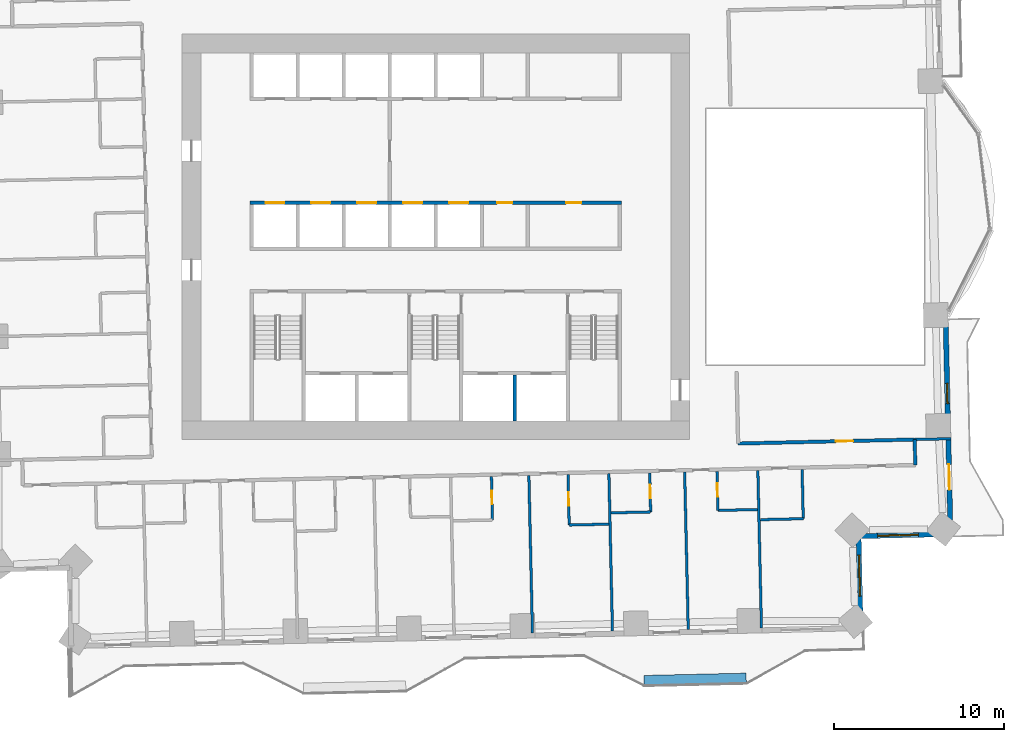
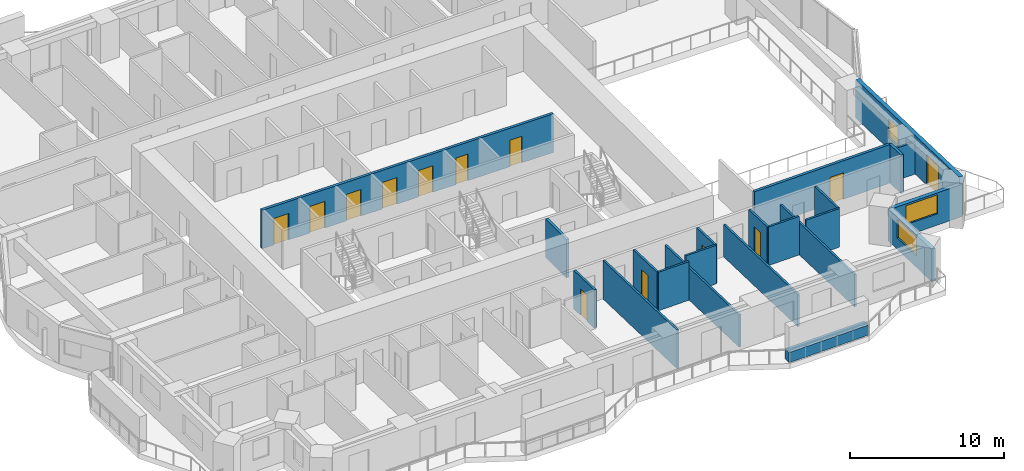
# One storey, part 9 of 17: 22 walls, 13 doors, 3 windows, 16 openings.
"""IFC4 building model written with IfcOpenShell, lengths in metres."""

from ifc_helpers import new_model, si_unit, direction, frame, frame_2d, origin, place, context, subcontext, project, spatial, rectangle, extrude, material, layer, layer_set, type_object, element, fill, save


model = new_model("IFC4")

# Units and contexts
model_context = context("Model", 3, precision=1e-05, world=origin(), true_north=direction((0.0, 1.0)))
body_context = subcontext(model_context, "Body", "Model", "MODEL_VIEW")
ifc_project = project(units=[si_unit("LENGTHUNIT", "METRE"), si_unit("AREAUNIT", "SQUARE_METRE"), si_unit("VOLUMEUNIT", "CUBIC_METRE"), si_unit("PLANEANGLEUNIT", "RADIAN"), si_unit("MASSUNIT", "GRAM", prefix="KILO")], contexts=[model_context])

# Site, building, storey
site_placement = place(None, origin())
site = spatial("IfcSite", under=ifc_project, at=site_placement, CompositionType="ELEMENT")
building_placement = place(site_placement, origin())
building = spatial("IfcBuilding", under=site, at=building_placement, Name="Mangrove Gate Tower", CompositionType="ELEMENT")
storey_placement = place(building_placement, frame((0.0, 0.0, 86.5)))
storey = spatial("IfcBuildingStorey", under=building, at=storey_placement, Name="L21", CompositionType="ELEMENT", Elevation=86.5)

# Wall, openings, doors
ifc_material_1 = material(Name="Concrete C70/85", Category="concrete")
ifc_layer_1 = layer(ifc_material_1, 0.199951171875)
ifc_layer_set_1 = layer_set([ifc_layer_1], Name="Core shaft wall 200 C70/85")
wall_type_1 = type_object("IfcWallType", Name="Core shaft wall 200 C70/85", PredefinedType="SHEAR", material=ifc_layer_set_1)
wall_1_placement = place(storey_placement, frame((-10.89990234375, 2.0, 0.0), z_axis=(0.0, 0.0, 1.0), x_axis=(1.0, 0.0, 0.0)))
wall_1 = element("IfcWall", 1, at=wall_1_placement, inside=storey, type_object=wall_type_1, Name="WALL-L21-CORE-7", PredefinedType="SHEAR", context=body_context, shape_type="SweptSolid", body=[
    extrude(rectangle(XDim=21.7998046875, YDim=0.199951171875, at=frame_2d((10.89990234375, 0.0))), origin(), (0.0, 0.0, 1.0), 3.050048828125),
])
opening_1_placement = place(wall_1_placement, frame((0.89990234375, 0.0, 0.0)))
opening_1 = element("IfcOpeningElement", 2, at=opening_1_placement, cuts=wall_1, Name="Opening LD", PredefinedType="OPENING", context=body_context, shape_type="SweptSolid", body=[
    extrude(rectangle(XDim=1.10009765625, YDim=2.10009765625, at=frame_2d((0.550048828125, 1.050048828125))), frame((0.0, 0.10986328125, 0.0), z_axis=(0.0, -1.0, 0.0), x_axis=(1.0, 0.0, 0.0)), (0.0, 0.0, 1.0), 0.219970703125),
])
opening_2_placement = place(wall_1_placement, frame((3.60009765625, 0.0, 0.0)))
opening_2 = element("IfcOpeningElement", 3, at=opening_2_placement, cuts=wall_1, Name="Opening LD", PredefinedType="OPENING", context=body_context, shape_type="SweptSolid", body=[
    extrude(rectangle(XDim=1.10009765625, YDim=2.10009765625, at=frame_2d((0.550048828125, 1.050048828125))), frame((0.0, 0.10986328125, 0.0), z_axis=(0.0, -1.0, 0.0), x_axis=(1.0, 0.0, 0.0)), (0.0, 0.0, 1.0), 0.219970703125),
])
opening_3_placement = place(wall_1_placement, frame((6.300048828125, 0.0, 0.0)))
opening_3 = element("IfcOpeningElement", 4, at=opening_3_placement, cuts=wall_1, Name="Opening LD", PredefinedType="OPENING", context=body_context, shape_type="SweptSolid", body=[
    extrude(rectangle(XDim=1.10009765625, YDim=2.10009765625, at=frame_2d((0.550048828125, 1.050048828125))), frame((0.0, 0.10986328125, 0.0), z_axis=(0.0, -1.0, 0.0), x_axis=(1.0, 0.0, 0.0)), (0.0, 0.0, 1.0), 0.219970703125),
])
opening_4_placement = place(wall_1_placement, frame((9.0, 0.0, 0.0)))
opening_4 = element("IfcOpeningElement", 5, at=opening_4_placement, cuts=wall_1, Name="Opening LD", PredefinedType="OPENING", context=body_context, shape_type="SweptSolid", body=[
    extrude(rectangle(XDim=1.10009765625, YDim=2.10009765625, at=frame_2d((0.550048828125, 1.050048828125))), frame((0.0, 0.10986328125, 0.0), z_axis=(0.0, -1.0, 0.0), x_axis=(1.0, 0.0, 0.0)), (0.0, 0.0, 1.0), 0.219970703125),
])
opening_5_placement = place(wall_1_placement, frame((11.699951171875, 0.0, 0.0)))
opening_5 = element("IfcOpeningElement", 6, at=opening_5_placement, cuts=wall_1, Name="Opening LD", PredefinedType="OPENING", context=body_context, shape_type="SweptSolid", body=[
    extrude(rectangle(XDim=1.10009765625, YDim=2.10009765625, at=frame_2d((0.550048828125, 1.050048828125))), frame((0.0, 0.10986328125, 0.0), z_axis=(0.0, -1.0, 0.0), x_axis=(1.0, 0.0, 0.0)), (0.0, 0.0, 1.0), 0.219970703125),
])
opening_6_placement = place(wall_1_placement, frame((14.5, 0.0, 0.0)))
opening_6 = element("IfcOpeningElement", 7, at=opening_6_placement, cuts=wall_1, Name="Opening KD", PredefinedType="OPENING", context=body_context, shape_type="SweptSolid", body=[
    extrude(rectangle(XDim=0.89990234375, YDim=2.10009765625, at=frame_2d((0.449951171875, 1.050048828125))), frame((0.0, 0.10986328125, 0.0), z_axis=(0.0, -1.0, 0.0), x_axis=(1.0, 0.0, 0.0)), (0.0, 0.0, 1.0), 0.219970703125),
])
opening_7_placement = place(wall_1_placement, frame((18.550048828125, 0.0, 0.0)))
opening_7 = element("IfcOpeningElement", 8, at=opening_7_placement, cuts=wall_1, Name="Opening RD", PredefinedType="OPENING", context=body_context, shape_type="SweptSolid", body=[
    extrude(rectangle(XDim=0.89990234375, YDim=2.10009765625, at=frame_2d((0.449951171875, 1.050048828125))), frame((0.0, 0.10986328125, 0.0), z_axis=(0.0, -1.0, 0.0), x_axis=(1.0, 0.0, 0.0)), (0.0, 0.0, 1.0), 0.219970703125),
])
ifc_material_2 = material(Name="Fire-rated steel door set", Category="steel")
door_type_1 = type_object("IfcDoorType", Name="Core room door FD30S 900x2100", OperationType="SINGLE_SWING_RIGHT", PredefinedType="DOOR", material=ifc_material_2)
door_1_placement = place(opening_6_placement, origin())
door_1 = element("IfcDoor", 9, at=door_1_placement, inside=storey, type_object=door_type_1, Name="Core room door Refuse store", OperationType="SINGLE_SWING_RIGHT", OverallHeight=2.10009765625, OverallWidth=0.89990234375, PredefinedType="DOOR", context=body_context, shape_type="SweptSolid", body=[
    extrude(rectangle(XDim=0.89990234375, YDim=2.10009765625, at=frame_2d((0.449951171875, 1.050048828125))), frame((0.0, 0.02490234375, 0.0), z_axis=(0.0, -1.0, 0.0), x_axis=(1.0, 0.0, 0.0)), (0.0, 0.0, 1.0), 0.050048828125),
])
fill(opening_6, door_1)
ifc_material_3 = material(Name="Stainless steel 316", Category="steel")
door_type_2 = type_object("IfcDoorType", Name="Lift landing door 1100x2100", OperationType="SLIDING_TO_LEFT", PredefinedType="DOOR", material=ifc_material_3)
door_2_placement = place(opening_1_placement, origin())
door_2 = element("IfcDoor", 10, at=door_2_placement, inside=storey, type_object=door_type_2, Name="Landing door LD P01", OperationType="SLIDING_TO_LEFT", OverallHeight=2.10009765625, OverallWidth=1.10009765625, PredefinedType="DOOR", context=body_context, shape_type="SweptSolid", body=[
    extrude(rectangle(XDim=1.10009765625, YDim=2.10009765625, at=frame_2d((0.550048828125, 1.050048828125))), frame((0.0, 0.02490234375, 0.0), z_axis=(0.0, -1.0, 0.0), x_axis=(1.0, 0.0, 0.0)), (0.0, 0.0, 1.0), 0.050048828125),
])
fill(opening_1, door_2)
door_3_placement = place(opening_2_placement, origin())
door_3 = element("IfcDoor", 11, at=door_3_placement, inside=storey, type_object=door_type_2, Name="Landing door LD P02", OperationType="SLIDING_TO_LEFT", OverallHeight=2.10009765625, OverallWidth=1.10009765625, PredefinedType="DOOR", context=body_context, shape_type="SweptSolid", body=[
    extrude(rectangle(XDim=1.10009765625, YDim=2.10009765625, at=frame_2d((0.550048828125, 1.050048828125))), frame((0.0, 0.02490234375, 0.0), z_axis=(0.0, -1.0, 0.0), x_axis=(1.0, 0.0, 0.0)), (0.0, 0.0, 1.0), 0.050048828125),
])
fill(opening_2, door_3)
door_4_placement = place(opening_3_placement, origin())
door_4 = element("IfcDoor", 12, at=door_4_placement, inside=storey, type_object=door_type_2, Name="Landing door LD P03", OperationType="SLIDING_TO_LEFT", OverallHeight=2.10009765625, OverallWidth=1.10009765625, PredefinedType="DOOR", context=body_context, shape_type="SweptSolid", body=[
    extrude(rectangle(XDim=1.10009765625, YDim=2.10009765625, at=frame_2d((0.550048828125, 1.050048828125))), frame((0.0, 0.02490234375, 0.0), z_axis=(0.0, -1.0, 0.0), x_axis=(1.0, 0.0, 0.0)), (0.0, 0.0, 1.0), 0.050048828125),
])
fill(opening_3, door_4)
door_5_placement = place(opening_4_placement, origin())
door_5 = element("IfcDoor", 13, at=door_5_placement, inside=storey, type_object=door_type_2, Name="Landing door LD P04", OperationType="SLIDING_TO_LEFT", OverallHeight=2.10009765625, OverallWidth=1.10009765625, PredefinedType="DOOR", context=body_context, shape_type="SweptSolid", body=[
    extrude(rectangle(XDim=1.10009765625, YDim=2.10009765625, at=frame_2d((0.550048828125, 1.050048828125))), frame((0.0, 0.02490234375, 0.0), z_axis=(0.0, -1.0, 0.0), x_axis=(1.0, 0.0, 0.0)), (0.0, 0.0, 1.0), 0.050048828125),
])
fill(opening_4, door_5)
door_6_placement = place(opening_5_placement, origin())
door_6 = element("IfcDoor", 14, at=door_6_placement, inside=storey, type_object=door_type_2, Name="Landing door LD P05", OperationType="SLIDING_TO_LEFT", OverallHeight=2.10009765625, OverallWidth=1.10009765625, PredefinedType="DOOR", context=body_context, shape_type="SweptSolid", body=[
    extrude(rectangle(XDim=1.10009765625, YDim=2.10009765625, at=frame_2d((0.550048828125, 1.050048828125))), frame((0.0, 0.02490234375, 0.0), z_axis=(0.0, -1.0, 0.0), x_axis=(1.0, 0.0, 0.0)), (0.0, 0.0, 1.0), 0.050048828125),
])
fill(opening_5, door_6)
ifc_material_4 = material(Name="Fire-rated steel door set", Category="steel")
door_type_3 = type_object("IfcDoorType", Name="Riser door FD30S 900x2100", OperationType="SINGLE_SWING_LEFT", PredefinedType="DOOR", material=ifc_material_4)
door_7_placement = place(opening_7_placement, origin())
door_7 = element("IfcDoor", 15, at=door_7_placement, inside=storey, type_object=door_type_3, Name="Riser door Electrical room", OperationType="SINGLE_SWING_LEFT", OverallHeight=2.10009765625, OverallWidth=0.89990234375, PredefinedType="DOOR", context=body_context, shape_type="SweptSolid", body=[
    extrude(rectangle(XDim=0.89990234375, YDim=2.10009765625, at=frame_2d((0.449951171875, 1.050048828125))), frame((0.0, 0.02490234375, 0.0), z_axis=(0.0, -1.0, 0.0), x_axis=(1.0, 0.0, 0.0)), (0.0, 0.0, 1.0), 0.050048828125),
])
fill(opening_7, door_7)

# Walls
wall_2_placement = place(storey_placement, frame((4.625, -10.800048828125, 0.0), z_axis=(0.0, 0.0, 1.0), x_axis=(0.0, 1.0, 0.0)))
element("IfcWall", 16, at=wall_2_placement, inside=storey, type_object=wall_type_1, Name="WALL-L21-CORE-18", PredefinedType="SHEAR", context=body_context, shape_type="SweptSolid", body=[
    extrude(rectangle(XDim=2.699951171875, YDim=0.199951171875, at=frame_2d((1.35009765625, 0.0))), origin(), (0.0, 0.0, 1.0), 3.050048828125),
])
ifc_material_5 = material(Name="Gypsum board on steel stud, EI 60", Category="steel")
ifc_layer_2 = layer(ifc_material_5, 0.199951171875)
ifc_layer_set_2 = layer_set([ifc_layer_2], Name="Corridor wall EI 60")
wall_type_2 = type_object("IfcWallType", Name="Corridor wall EI 60", PredefinedType="PARTITIONING", material=ifc_layer_set_2)
wall_3_placement = place(storey_placement, frame((28.157958984375, -13.40087890625, 0.0), z_axis=(0.0, 0.0, 1.0), x_axis=(-0.022636322434, 0.999743765625, 0.0)))
element("IfcWall", 17, at=wall_3_placement, inside=storey, type_object=wall_type_2, Name="WALL-L21-032", PredefinedType="PARTITIONING", context=body_context, shape_type="SweptSolid", body=[
    extrude(rectangle(XDim=1.499267578125, YDim=0.199951171875, at=frame_2d((0.74951171875, 0.0))), origin(), (0.0, 0.0, 1.0), 3.050048828125),
])

# Wall, opening, door
wall_4_placement = place(storey_placement, frame((17.7529296875, -12.136962890625, 0.0), z_axis=(0.0, 0.0, 1.0), x_axis=(0.999743727281, 0.022638015856, 0.0)))
wall_4 = element("IfcWall", 18, at=wall_4_placement, inside=storey, type_object=wall_type_2, Name="WALL-L21-037", PredefinedType="PARTITIONING", context=body_context, shape_type="SweptSolid", body=[
    extrude(rectangle(XDim=10.374755859375, YDim=0.199951171875, at=frame_2d((5.1875, 0.0))), origin(), (0.0, 0.0, 1.0), 3.050048828125),
])
opening_8_placement = place(wall_4_placement, frame((5.75, 0.0, 0.0)))
opening_8 = element("IfcOpeningElement", 19, at=opening_8_placement, cuts=wall_4, Name="Opening AD", PredefinedType="OPENING", context=body_context, shape_type="SweptSolid", body=[
    extrude(rectangle(XDim=1.0, YDim=2.10009765625, at=frame_2d((0.5, 1.050048828125))), frame((0.0, 0.10986328125, 0.0), z_axis=(0.0, -1.0, 0.0), x_axis=(1.0, 0.0, 0.0)), (0.0, 0.0, 1.0), 0.219970703125),
])
ifc_material_6 = material(Name="Timber door leaf", Category="wood")
door_type_4 = type_object("IfcDoorType", Name="Amenity door 1000", OperationType="SINGLE_SWING_LEFT", PredefinedType="DOOR", material=ifc_material_6)
door_8_placement = place(opening_8_placement, origin())
door_8 = element("IfcDoor", 20, at=door_8_placement, inside=storey, type_object=door_type_4, Name="DOOR-L21-GAM-c3b", OperationType="SINGLE_SWING_LEFT", OverallHeight=2.10009765625, OverallWidth=1.0, PredefinedType="DOOR", context=body_context, shape_type="SweptSolid", body=[
    extrude(rectangle(XDim=1.0, YDim=2.10009765625, at=frame_2d((0.5, 1.050048828125))), frame((0.0, 0.02490234375, 0.0), z_axis=(0.0, -1.0, 0.0), x_axis=(1.0, 0.0, 0.0)), (0.0, 0.0, 1.0), 0.050048828125),
])
fill(opening_8, door_8)

# Wall, openings, door, window
ifc_material_7 = material(Name="Limestone", Category="masonry")
ifc_layer_3 = layer(ifc_material_7, 0.0400390625, Name="Limestone cladding")
ifc_material_8 = material(Name="Ventilated air gap")
ifc_layer_4 = layer(ifc_material_8, 0.0400390625, Name="Ventilated cavity")
ifc_material_9 = material(Name="Mineral wool insulation")
ifc_layer_5 = layer(ifc_material_9, 0.06005859375, Name="Insulation")
ifc_material_10 = material(Name="Breather membrane")
ifc_layer_6 = layer(ifc_material_10, 0.001953125, Name="Breather membrane")
ifc_material_11 = material(Name="Concrete C20/25 blockwork", Category="masonry")
ifc_layer_7 = layer(ifc_material_11, 0.14990234375, Name="Blockwork backing wall")
ifc_material_12 = material(Name="Gypsum plaster")
ifc_layer_8 = layer(ifc_material_12, 0.008056640625, Name="Internal plaster")
ifc_layer_set_3 = layer_set([ifc_layer_3, ifc_layer_4, ifc_layer_5, ifc_layer_6, ifc_layer_7, ifc_layer_8], Name="External wall 300 limestone cladding")
wall_type_3 = type_object("IfcWallType", Name="External wall 300 limestone cladding", PredefinedType="SOLIDWALL", material=ifc_layer_set_3)
wall_5_placement = place(storey_placement, frame((30.22705078125, -17.455078125, 0.0), z_axis=(0.0, 0.0, 1.0), x_axis=(-0.022734702163, 0.999741533256, 0.0)))
wall_5 = element("IfcWall", 21, at=wall_5_placement, inside=storey, type_object=wall_type_3, Name="WALL-L21-E0", PredefinedType="SOLIDWALL", context=body_context, shape_type="SweptSolid", body=[
    extrude(rectangle(XDim=12.929443359375, YDim=0.300048828125, at=frame_2d((6.46484375, 0.0))), origin(), (0.0, 0.0, 1.0), 3.050048828125),
])
opening_9_placement = place(wall_5_placement, frame((2.592041015625, 0.0, 0.0)))
opening_9 = element("IfcOpeningElement", 22, at=opening_9_placement, cuts=wall_5, Name="Opening BD1", PredefinedType="OPENING", context=body_context, shape_type="SweptSolid", body=[
    extrude(rectangle(XDim=1.5, YDim=2.39990234375, at=frame_2d((0.75, 1.199951171875))), frame((0.0, 0.159912109375, 0.0), z_axis=(0.0, -1.0, 0.0), x_axis=(1.0, 0.0, 0.0)), (0.0, 0.0, 1.0), 0.320068359375),
])
opening_10_placement = place(wall_5_placement, frame((7.658935546875, 0.0, 0.89990234375)))
opening_10 = element("IfcOpeningElement", 23, at=opening_10_placement, cuts=wall_5, Name="Opening W1", PredefinedType="OPENING", context=body_context, shape_type="SweptSolid", body=[
    extrude(rectangle(XDim=1.199951171875, YDim=1.5, at=frame_2d((0.60009765625, 0.75))), frame((0.0, 0.159912109375, 0.0), z_axis=(0.0, -1.0, 0.0), x_axis=(1.0, 0.0, 0.0)), (0.0, 0.0, 1.0), 0.320068359375),
])
ifc_material_13 = material(Name="Aluminium frame with laminated clear glass", Category="aluminium")
door_type_5 = type_object("IfcDoorType", Name="Balcony sliding door 1500x2400", OperationType="SLIDING_TO_LEFT", PredefinedType="DOOR", material=ifc_material_13)
door_9_placement = place(opening_9_placement, origin())
door_9 = element("IfcDoor", 24, at=door_9_placement, inside=storey, type_object=door_type_5, Name="DOOR-L21-E0-1", OperationType="SLIDING_TO_LEFT", OverallHeight=2.39990234375, OverallWidth=1.5, PredefinedType="DOOR", context=body_context, shape_type="SweptSolid", body=[
    extrude(rectangle(XDim=1.5, YDim=2.39990234375, at=frame_2d((0.75, 1.199951171875))), frame((0.0, 0.02490234375, 0.0), z_axis=(0.0, -1.0, 0.0), x_axis=(1.0, 0.0, 0.0)), (0.0, 0.0, 1.0), 0.050048828125),
])
fill(opening_9, door_9)
ifc_material_14 = material(Name="Aluminium frame with double-glazed low-e glass", Category="aluminium")
window_type_1 = type_object("IfcWindowType", Name="Side lite 1200x1500", PartitioningType="SINGLE_PANEL", PredefinedType="WINDOW", material=ifc_material_14)
window_1_placement = place(opening_10_placement, origin())
window_1 = element("IfcWindow", 25, at=window_1_placement, inside=storey, type_object=window_type_1, Name="WIN-L21-E0-2", OverallHeight=1.5, OverallWidth=1.199951171875, PartitioningType="SINGLE_PANEL", PredefinedType="WINDOW", context=body_context, shape_type="SweptSolid", body=[
    extrude(rectangle(XDim=1.199951171875, YDim=1.5, at=frame_2d((0.60009765625, 0.75))), frame((0.0, 0.030029296875, 0.0), z_axis=(0.0, -1.0, 0.0), x_axis=(1.0, 0.0, 0.0)), (0.0, 0.0, 1.0), 0.06005859375),
])
fill(opening_10, window_1)

# Wall, opening, window
wall_6_placement = place(storey_placement, frame((24.950927734375, -22.97705078125, 0.0), z_axis=(0.0, 0.0, 1.0), x_axis=(-0.022784045517, 0.999740409941, 0.0)))
wall_6 = element("IfcWall", 26, at=wall_6_placement, inside=storey, type_object=wall_type_3, Name="WALL-L21-E14", PredefinedType="SOLIDWALL", context=body_context, shape_type="SweptSolid", body=[
    extrude(rectangle(XDim=5.400634765625, YDim=0.300048828125, at=frame_2d((2.7001953125, 0.0))), origin(), (0.0, 0.0, 1.0), 2.550048828125),
])
opening_11_placement = place(wall_6_placement, frame((1.885009765625, 0.0, 0.89990234375)))
opening_11 = element("IfcOpeningElement", 27, at=opening_11_placement, cuts=wall_6, Name="Opening W2", PredefinedType="OPENING", context=body_context, shape_type="SweptSolid", body=[
    extrude(rectangle(XDim=2.39990234375, YDim=1.5, at=frame_2d((1.199951171875, 0.75))), frame((0.0, 0.159912109375, 0.0), z_axis=(0.0, -1.0, 0.0), x_axis=(1.0, 0.0, 0.0)), (0.0, 0.0, 1.0), 0.320068359375),
])
ifc_material_15 = material(Name="Aluminium frame with double-glazed low-e glass", Category="aluminium")
window_type_2 = type_object("IfcWindowType", Name="Corner room window 2400x1500", PartitioningType="DOUBLE_PANEL_VERTICAL", PredefinedType="WINDOW", material=ifc_material_15)
window_2_placement = place(opening_11_placement, origin())
window_2 = element("IfcWindow", 28, at=window_2_placement, inside=storey, type_object=window_type_2, Name="WIN-L21-E14-1", OverallHeight=1.5, OverallWidth=2.39990234375, PartitioningType="DOUBLE_PANEL_VERTICAL", PredefinedType="WINDOW", context=body_context, shape_type="SweptSolid", body=[
    extrude(rectangle(XDim=2.39990234375, YDim=1.5, at=frame_2d((1.199951171875, 0.75))), frame((0.0, 0.030029296875, 0.0), z_axis=(0.0, -1.0, 0.0), x_axis=(1.0, 0.0, 0.0)), (0.0, 0.0, 1.0), 0.06005859375),
])
fill(opening_11, window_2)

wall_7_placement = place(storey_placement, frame((24.827880859375, -17.577880859375, 0.0), z_axis=(0.0, 0.0, 1.0), x_axis=(0.99974143864, 0.022738862475, 0.0)))
wall_7 = element("IfcWall", 29, at=wall_7_placement, inside=storey, type_object=wall_type_3, Name="WALL-L21-S15", PredefinedType="SOLIDWALL", context=body_context, shape_type="SweptSolid", body=[
    extrude(rectangle(XDim=5.400634765625, YDim=0.300048828125, at=frame_2d((2.7001953125, 0.0))), origin(), (0.0, 0.0, 1.0), 2.550048828125),
])
opening_12_placement = place(wall_7_placement, frame((1.116943359375, 0.0, 0.89990234375)))
opening_12 = element("IfcOpeningElement", 30, at=opening_12_placement, cuts=wall_7, Name="Opening W2", PredefinedType="OPENING", context=body_context, shape_type="SweptSolid", body=[
    extrude(rectangle(XDim=2.39990234375, YDim=1.5, at=frame_2d((1.199951171875, 0.75))), frame((0.0, 0.159912109375, 0.0), z_axis=(0.0, -1.0, 0.0), x_axis=(1.0, 0.0, 0.0)), (0.0, 0.0, 1.0), 0.320068359375),
])
window_3_placement = place(opening_12_placement, origin())
window_3 = element("IfcWindow", 31, at=window_3_placement, inside=storey, type_object=window_type_2, Name="WIN-L21-S15-1", OverallHeight=1.5, OverallWidth=2.39990234375, PartitioningType="DOUBLE_PANEL_VERTICAL", PredefinedType="WINDOW", context=body_context, shape_type="SweptSolid", body=[
    extrude(rectangle(XDim=2.39990234375, YDim=1.5, at=frame_2d((1.199951171875, 0.75))), frame((0.0, 0.030029296875, 0.0), z_axis=(0.0, -1.0, 0.0), x_axis=(1.0, 0.0, 0.0)), (0.0, 0.0, 1.0), 0.06005859375),
])
fill(opening_12, window_3)

# Walls
ifc_material_16 = material(Name="Gypsum board on steel stud, EI 60", Category="steel")
ifc_layer_9 = layer(ifc_material_16, 0.14990234375)
ifc_layer_set_4 = layer_set([ifc_layer_9], Name="Party wall 150 EI 60")
wall_type_4 = type_object("IfcWallType", Name="Party wall 150 EI 60", PredefinedType="PARTITIONING", material=ifc_layer_set_4)
wall_8_placement = place(storey_placement, frame((5.676025390625, -23.263916015625, 0.0), z_axis=(0.0, 0.0, 1.0), x_axis=(-0.022698023584, 0.999742366675, 0.0)))
element("IfcWall", 32, at=wall_8_placement, inside=storey, type_object=wall_type_4, Name="WALL-L21-006", PredefinedType="PARTITIONING", context=body_context, shape_type="SweptSolid", body=[
    extrude(rectangle(XDim=9.250244140625, YDim=0.14990234375, at=frame_2d((4.625, 0.0))), origin(), (0.0, 0.0, 1.0), 3.050048828125),
])
wall_9_placement = place(storey_placement, frame((10.375, -23.157958984375, 0.0), z_axis=(0.0, 0.0, 1.0), x_axis=(-0.022697424684, 0.999742380272, 0.0)))
element("IfcWall", 33, at=wall_9_placement, inside=storey, type_object=wall_type_4, Name="WALL-L21-007", PredefinedType="PARTITIONING", context=body_context, shape_type="SweptSolid", body=[
    extrude(rectangle(XDim=9.25048828125, YDim=0.14990234375, at=frame_2d((4.625244140625, 0.0))), origin(), (0.0, 0.0, 1.0), 2.550048828125),
])
wall_10_placement = place(storey_placement, frame((14.823974609375, -23.056884765625, 0.0), z_axis=(0.0, 0.0, 1.0), x_axis=(-0.022698023584, 0.999742366675, 0.0)))
element("IfcWall", 34, at=wall_10_placement, inside=storey, type_object=wall_type_4, Name="WALL-L21-008", PredefinedType="PARTITIONING", context=body_context, shape_type="SweptSolid", body=[
    extrude(rectangle(XDim=9.250244140625, YDim=0.14990234375, at=frame_2d((4.625, 0.0))), origin(), (0.0, 0.0, 1.0), 2.550048828125),
])
wall_11_placement = place(storey_placement, frame((19.123046875, -22.958984375, 0.0), z_axis=(0.0, 0.0, 1.0), x_axis=(-0.022697424684, 0.999742380272, 0.0)))
element("IfcWall", 35, at=wall_11_placement, inside=storey, type_object=wall_type_4, Name="WALL-L21-009", PredefinedType="PARTITIONING", context=body_context, shape_type="SweptSolid", body=[
    extrude(rectangle(XDim=9.25048828125, YDim=0.14990234375, at=frame_2d((4.625244140625, 0.0))), origin(), (0.0, 0.0, 1.0), 2.550048828125),
])

# Wall, opening, door
wall_12_placement = place(storey_placement, frame((7.8330078125, -16.923095703125, 0.0), z_axis=(0.0, 0.0, 1.0), x_axis=(-0.022601485787, 0.999744553794, 0.0)))
wall_12 = element("IfcWall", 36, at=wall_12_placement, inside=storey, type_object=wall_type_4, Name="WALL-L21-012", PredefinedType="PARTITIONING", context=body_context, shape_type="SweptSolid", body=[
    extrude(rectangle(XDim=2.959716796875, YDim=0.14990234375, at=frame_2d((1.47998046875, 0.0))), origin(), (0.0, 0.0, 1.0), 3.050048828125),
])
opening_13_placement = place(wall_12_placement, frame((1.1298828125, 0.0, 0.0)))
opening_13 = element("IfcOpeningElement", 37, at=opening_13_placement, cuts=wall_12, Name="Opening ED", PredefinedType="OPENING", context=body_context, shape_type="SweptSolid", body=[
    extrude(rectangle(XDim=0.800048828125, YDim=2.10009765625, at=frame_2d((0.39990234375, 1.050048828125))), frame((0.0, 0.0849609375, 0.0), z_axis=(0.0, -1.0, 0.0), x_axis=(1.0, 0.0, 0.0)), (0.0, 0.0, 1.0), 0.169921875),
])
ifc_material_17 = material(Name="Timber door leaf", Category="wood")
door_type_6 = type_object("IfcDoorType", Name="En-suite door 800", OperationType="SINGLE_SWING_LEFT", PredefinedType="DOOR", material=ifc_material_17)
door_10_placement = place(opening_13_placement, origin())
door_10 = element("IfcDoor", 38, at=door_10_placement, inside=storey, type_object=door_type_6, Name="DOOR-L21-ENS-c206", OperationType="SINGLE_SWING_RIGHT", OverallHeight=2.10009765625, OverallWidth=0.800048828125, PredefinedType="DOOR", context=body_context, shape_type="SweptSolid", body=[
    extrude(rectangle(XDim=0.800048828125, YDim=2.10009765625, at=frame_2d((0.39990234375, 1.050048828125))), frame((0.0, 0.02490234375, 0.0), z_axis=(0.0, -1.0, 0.0), x_axis=(1.0, 0.0, 0.0)), (0.0, 0.0, 1.0), 0.050048828125),
])
fill(opening_13, door_10)

# Walls
wall_13_placement = place(storey_placement, frame((7.8369140625, -16.923095703125, 0.0), z_axis=(0.0, 0.0, 1.0), x_axis=(0.999749744571, 0.022370700241, 0.0)))
element("IfcWall", 39, at=wall_13_placement, inside=storey, type_object=wall_type_4, Name="WALL-L21-013", PredefinedType="PARTITIONING", context=body_context, shape_type="SweptSolid", body=[
    extrude(rectangle(XDim=2.324462890625, YDim=0.14990234375, at=frame_2d((1.162109375, 0.0))), origin(), (0.0, 0.0, 1.0), 3.050048828125),
])
wall_14_placement = place(storey_placement, frame((19.05810546875, -16.60888671875, 0.0), z_axis=(0.0, 0.0, 1.0), x_axis=(0.999737322729, 0.022919108675, 0.0)))
element("IfcWall", 40, at=wall_14_placement, inside=storey, type_object=wall_type_4, Name="WALL-L21-014", PredefinedType="PARTITIONING", context=body_context, shape_type="SweptSolid", body=[
    extrude(rectangle(XDim=2.524658203125, YDim=0.14990234375, at=frame_2d((1.26220703125, 0.0))), origin(), (0.0, 0.0, 1.0), 3.050048828125),
])
wall_15_placement = place(storey_placement, frame((21.577880859375, -16.551025390625, 0.0), z_axis=(0.0, 0.0, 1.0), x_axis=(-0.022732880677, 0.999741574676, 0.0)))
element("IfcWall", 41, at=wall_15_placement, inside=storey, type_object=wall_type_4, Name="WALL-L21-015", PredefinedType="PARTITIONING", context=body_context, shape_type="SweptSolid", body=[
    extrude(rectangle(XDim=2.899658203125, YDim=0.14990234375, at=frame_2d((1.44970703125, 0.0))), origin(), (0.0, 0.0, 1.0), 3.050048828125),
])

# Wall, opening, door
wall_16_placement = place(storey_placement, frame((3.324951171875, -16.6259765625, 0.0), z_axis=(0.0, 0.0, 1.0), x_axis=(-0.022595793415, 0.999744682466, 0.0)))
wall_16 = element("IfcWall", 42, at=wall_16_placement, inside=storey, type_object=wall_type_4, Name="WALL-L21-017", PredefinedType="PARTITIONING", context=body_context, shape_type="SweptSolid", body=[
    extrude(rectangle(XDim=2.560791015625, YDim=0.14990234375, at=frame_2d((1.2802734375, 0.0))), origin(), (0.0, 0.0, 1.0), 3.050048828125),
])
opening_14_placement = place(wall_16_placement, frame((0.929931640625, 0.0, 0.0)))
opening_14 = element("IfcOpeningElement", 43, at=opening_14_placement, cuts=wall_16, Name="Opening ED", PredefinedType="OPENING", context=body_context, shape_type="SweptSolid", body=[
    extrude(rectangle(XDim=0.800048828125, YDim=2.10009765625, at=frame_2d((0.39990234375, 1.050048828125))), frame((0.0, 0.0849609375, 0.0), z_axis=(0.0, -1.0, 0.0), x_axis=(1.0, 0.0, 0.0)), (0.0, 0.0, 1.0), 0.169921875),
])
door_11_placement = place(opening_14_placement, origin())
door_11 = element("IfcDoor", 44, at=door_11_placement, inside=storey, type_object=door_type_6, Name="DOOR-L21-ENS-c205", OperationType="SINGLE_SWING_LEFT", OverallHeight=2.10009765625, OverallWidth=0.800048828125, PredefinedType="DOOR", context=body_context, shape_type="SweptSolid", body=[
    extrude(rectangle(XDim=0.800048828125, YDim=2.10009765625, at=frame_2d((0.39990234375, 1.050048828125))), frame((0.0, 0.02490234375, 0.0), z_axis=(0.0, -1.0, 0.0), x_axis=(1.0, 0.0, 0.0)), (0.0, 0.0, 1.0), 0.050048828125),
])
fill(opening_14, door_11)

# Wall
wall_17_placement = place(storey_placement, frame((10.2958984375, -16.20703125, 0.0), z_axis=(0.0, 0.0, 1.0), x_axis=(0.999750007167, 0.022358961731, 0.0)))
element("IfcWall", 45, at=wall_17_placement, inside=storey, type_object=wall_type_4, Name="WALL-L21-026", PredefinedType="PARTITIONING", context=body_context, shape_type="SweptSolid", body=[
    extrude(rectangle(XDim=2.32568359375, YDim=0.14990234375, at=frame_2d((1.162841796875, 0.0))), origin(), (0.0, 0.0, 1.0), 3.050048828125),
])

# Wall, opening, door
wall_18_placement = place(storey_placement, frame((12.616943359375, -16.155029296875, 0.0), z_axis=(0.0, 0.0, 1.0), x_axis=(-0.022603288534, 0.999744513037, 0.0)))
wall_18 = element("IfcWall", 46, at=wall_18_placement, inside=storey, type_object=wall_type_4, Name="WALL-L21-027", PredefinedType="PARTITIONING", context=body_context, shape_type="SweptSolid", body=[
    extrude(rectangle(XDim=2.300537109375, YDim=0.14990234375, at=frame_2d((1.150390625, 0.0))), origin(), (0.0, 0.0, 1.0), 3.050048828125),
])
opening_15_placement = place(wall_18_placement, frame((0.800048828125, 0.0, 0.0)))
opening_15 = element("IfcOpeningElement", 47, at=opening_15_placement, cuts=wall_18, Name="Opening ED", PredefinedType="OPENING", context=body_context, shape_type="SweptSolid", body=[
    extrude(rectangle(XDim=0.800048828125, YDim=2.10009765625, at=frame_2d((0.39990234375, 1.050048828125))), frame((0.0, 0.0849609375, 0.0), z_axis=(0.0, -1.0, 0.0), x_axis=(1.0, 0.0, 0.0)), (0.0, 0.0, 1.0), 0.169921875),
])
door_12_placement = place(opening_15_placement, origin())
door_12 = element("IfcDoor", 48, at=door_12_placement, inside=storey, type_object=door_type_6, Name="DOOR-L21-ENS-c207", OperationType="SINGLE_SWING_LEFT", OverallHeight=2.10009765625, OverallWidth=0.800048828125, PredefinedType="DOOR", context=body_context, shape_type="SweptSolid", body=[
    extrude(rectangle(XDim=0.800048828125, YDim=2.10009765625, at=frame_2d((0.39990234375, 1.050048828125))), frame((0.0, 0.02490234375, 0.0), z_axis=(0.0, -1.0, 0.0), x_axis=(1.0, 0.0, 0.0)), (0.0, 0.0, 1.0), 0.050048828125),
])
fill(opening_15, door_12)

wall_19_placement = place(storey_placement, frame((16.56591796875, -16.06494140625, 0.0), z_axis=(0.0, 0.0, 1.0), x_axis=(-0.022615284993, 0.999744241736, 0.0)))
wall_19 = element("IfcWall", 49, at=wall_19_placement, inside=storey, type_object=wall_type_4, Name="WALL-L21-028", PredefinedType="PARTITIONING", context=body_context, shape_type="SweptSolid", body=[
    extrude(rectangle(XDim=2.29931640625, YDim=0.14990234375, at=frame_2d((1.149658203125, 0.0))), origin(), (0.0, 0.0, 1.0), 3.050048828125),
])
opening_16_placement = place(wall_19_placement, frame((0.800048828125, 0.0, 0.0)))
opening_16 = element("IfcOpeningElement", 50, at=opening_16_placement, cuts=wall_19, Name="Opening ED", PredefinedType="OPENING", context=body_context, shape_type="SweptSolid", body=[
    extrude(rectangle(XDim=0.800048828125, YDim=2.10009765625, at=frame_2d((0.39990234375, 1.050048828125))), frame((0.0, 0.0849609375, 0.0), z_axis=(0.0, -1.0, 0.0), x_axis=(1.0, 0.0, 0.0)), (0.0, 0.0, 1.0), 0.169921875),
])
door_13_placement = place(opening_16_placement, origin())
door_13 = element("IfcDoor", 51, at=door_13_placement, inside=storey, type_object=door_type_6, Name="DOOR-L21-ENS-c308", OperationType="SINGLE_SWING_RIGHT", OverallHeight=2.10009765625, OverallWidth=0.800048828125, PredefinedType="DOOR", context=body_context, shape_type="SweptSolid", body=[
    extrude(rectangle(XDim=0.800048828125, YDim=2.10009765625, at=frame_2d((0.39990234375, 1.050048828125))), frame((0.0, 0.02490234375, 0.0), z_axis=(0.0, -1.0, 0.0), x_axis=(1.0, 0.0, 0.0)), (0.0, 0.0, 1.0), 0.050048828125),
])
fill(opening_16, door_13)

# Walls
wall_20_placement = place(storey_placement, frame((16.570068359375, -16.06494140625, 0.0), z_axis=(0.0, 0.0, 1.0), x_axis=(0.999740260747, 0.02279059109, 0.0)))
element("IfcWall", 52, at=wall_20_placement, inside=storey, type_object=wall_type_4, Name="WALL-L21-029", PredefinedType="PARTITIONING", context=body_context, shape_type="SweptSolid", body=[
    extrude(rectangle(XDim=2.324462890625, YDim=0.14990234375, at=frame_2d((1.162109375, 0.0))), origin(), (0.0, 0.0, 1.0), 3.050048828125),
])
wall_21_placement = place(storey_placement, frame((28.12109375, -11.902099609375, 0.0), z_axis=(0.0, 0.0, 1.0), x_axis=(0.999734443994, 0.023044337528, 0.0)))
element("IfcWall", 53, at=wall_21_placement, inside=storey, type_object=wall_type_4, Name="WALL-L21-039", PredefinedType="PARTITIONING", context=body_context, shape_type="SweptSolid", body=[
    extrude(rectangle(XDim=2.12939453125, YDim=0.14990234375, at=frame_2d((1.064697265625, 0.0))), origin(), (0.0, 0.0, 1.0), 2.550048828125),
])
ifc_material_18 = material(Name="Concrete C32/40", Category="concrete")
ifc_layer_10 = layer(ifc_material_18, 0.199951171875, Name="Planter trough wall")
ifc_material_19 = material(Name="Bituminous waterproofing membrane")
ifc_layer_11 = layer(ifc_material_19, 0.0048828125, Name="Waterproofing")
ifc_material_20 = material(Name="Drainage board and gravel")
ifc_layer_12 = layer(ifc_material_20, 0.044921875, Name="Drainage layer")
ifc_material_21 = material(Name="Planting soil")
ifc_layer_13 = layer(ifc_material_21, 0.300048828125, Name="Growing medium")
ifc_layer_set_5 = layer_set([ifc_layer_10, ifc_layer_11, ifc_layer_12, ifc_layer_13], Name="Planter wall 550 C32/40")
wall_type_5 = type_object("IfcWallType", Name="Planter wall 550 C32/40", PredefinedType="USERDEFINED", material=ifc_layer_set_5)
wall_22_placement = place(storey_placement, frame((12.23095703125, -26.031005859375, 0.0), z_axis=(0.0, 0.0, 1.0), x_axis=(0.999743094499, 0.022665943652, 0.0)))
element("IfcWall", 54, at=wall_22_placement, inside=storey, type_object=wall_type_5, Name="PLANTER L21 S1.1", ObjectType="PLANTER", PredefinedType="USERDEFINED", context=body_context, shape_type="SweptSolid", body=[
    extrude(rectangle(XDim=5.99951171875, YDim=0.550048828125, at=frame_2d((2.999755859375, 0.0))), origin(), (0.0, 0.0, 1.0), 0.800048828125),
])

save(model, "model.ifc")
